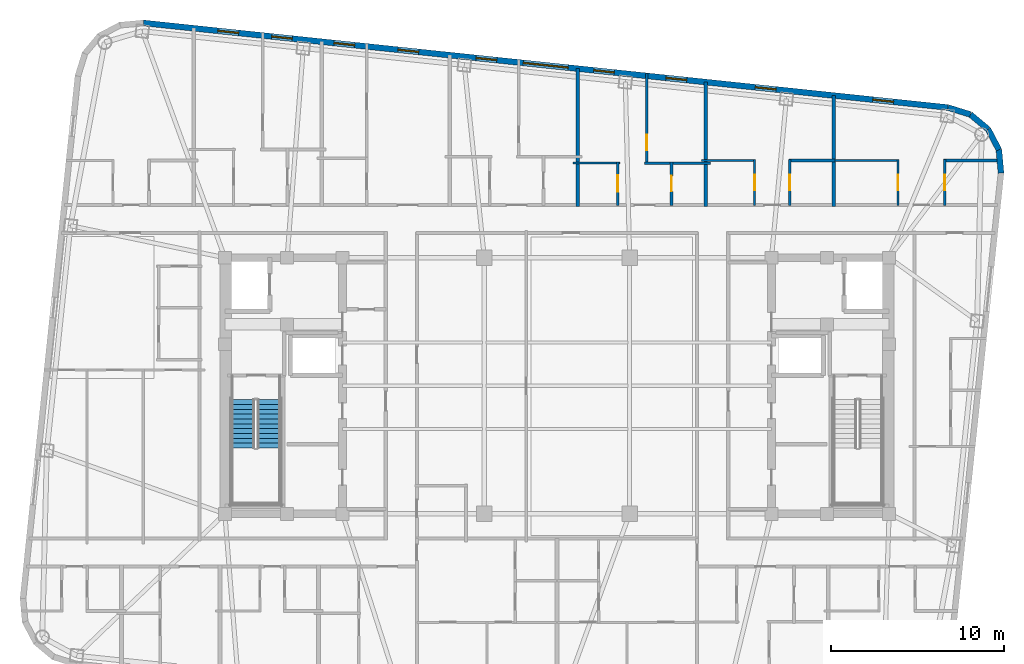
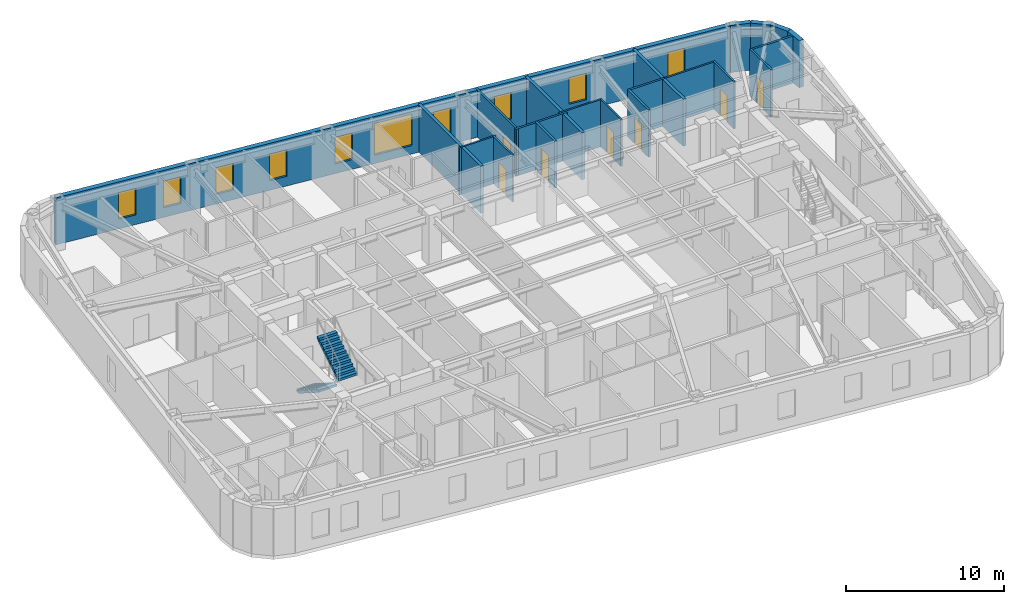
# One storey, part 8 of 11: 21 walls, 10 windows, 7 doors, 2 stair flights, 17 openings, 1 element without a shape of its own.
"""IFC4 building model written with IfcOpenShell, lengths in metres."""

from ifc_helpers import new_model, si_unit, direction, frame, frame_2d, origin, place, context, subcontext, project, spatial, polyline, rectangle, outline, extrude, material, layer, layer_set, type_object, element, fill, aggregate, save


model = new_model("IFC4")

# Units and contexts
model_context = context("Model", 3, precision=1e-05, world=origin(), true_north=direction((0.0, 1.0)))
body_context = subcontext(model_context, "Body", "Model", "MODEL_VIEW")
ifc_project = project(units=[si_unit("LENGTHUNIT", "METRE"), si_unit("AREAUNIT", "SQUARE_METRE"), si_unit("VOLUMEUNIT", "CUBIC_METRE"), si_unit("PLANEANGLEUNIT", "RADIAN"), si_unit("MASSUNIT", "GRAM", prefix="KILO")], contexts=[model_context])

# Site, building, storey
site_placement = place(None, origin())
site = spatial("IfcSite", under=ifc_project, at=site_placement, CompositionType="ELEMENT")
building_placement = place(site_placement, origin())
building = spatial("IfcBuilding", under=site, at=building_placement, Name="Voryun Gate Residences", CompositionType="ELEMENT")
storey_placement = place(building_placement, frame((0.0, 0.0, 302.89990234375)))
storey = spatial("IfcBuildingStorey", under=building, at=storey_placement, Name="L75", CompositionType="ELEMENT", Elevation=302.89990234375)

# Wall, openings, windows
ifc_material_1 = material(Name="Charcoal terracotta masonry", Category="masonry")
ifc_layer_1 = layer(ifc_material_1, 0.340087890625, Name="W_EXT_TERRACOTTA_340")
ifc_layer_set_1 = layer_set([ifc_layer_1], Name="Charcoal terracotta masonry")
wall_type_1 = type_object("IfcWallType", Name="W_EXT_TERRACOTTA_340", PredefinedType="ELEMENTEDWALL", material=ifc_layer_set_1)
wall_1_placement = place(storey_placement, frame((-23.90771484375, 20.97216796875, 0.0), z_axis=(0.0, 0.0, 1.0), x_axis=(0.994521888554, -0.104528528102, 0.0)))
wall_1 = element("IfcWall", 1, at=wall_1_placement, inside=storey, type_object=wall_type_1, Name="Exterior wall WEXT-L75-11", PredefinedType="ELEMENTEDWALL", context=body_context, shape_type="SweptSolid", body=[
    extrude(rectangle(XDim=46.766357421875, YDim=0.340087890625, at=frame_2d((23.38330078125, 0.0))), origin(), (0.0, 0.0, 1.0), 3.635009765625),
])
opening_1_placement = place(wall_1_placement, frame((22.083251953125, 0.0, 0.64990234375)))
opening_1 = element("IfcOpeningElement", 2, at=opening_1_placement, cuts=wall_1, Name="Opening WN4", PredefinedType="OPENING", context=body_context, shape_type="SweptSolid", body=[
    extrude(rectangle(XDim=2.60009765625, YDim=2.449951171875, at=frame_2d((1.300048828125, 1.22509765625))), frame((0.0, 0.179931640625, 0.0), z_axis=(0.0, -1.0, 0.0), x_axis=(1.0, 0.0, 0.0)), (0.0, 0.0, 1.0), 0.360107421875),
])
opening_2_placement = place(wall_1_placement, frame((4.33203125, 0.0, 0.75)))
opening_2 = element("IfcOpeningElement", 3, at=opening_2_placement, cuts=wall_1, Name="Opening WN6", PredefinedType="OPENING", context=body_context, shape_type="SweptSolid", body=[
    extrude(rectangle(XDim=1.199951171875, YDim=2.050048828125, at=frame_2d((0.60009765625, 1.02490234375))), frame((0.0, 0.179931640625, 0.0), z_axis=(0.0, -1.0, 0.0), x_axis=(1.0, 0.0, 0.0)), (0.0, 0.0, 1.0), 0.360107421875),
])
opening_3_placement = place(wall_1_placement, frame((7.452392578125, 0.0, 0.75)))
opening_3 = element("IfcOpeningElement", 4, at=opening_3_placement, cuts=wall_1, Name="Opening WN6", PredefinedType="OPENING", context=body_context, shape_type="SweptSolid", body=[
    extrude(rectangle(XDim=1.199951171875, YDim=2.050048828125, at=frame_2d((0.60009765625, 1.02490234375))), frame((0.0, 0.179931640625, 0.0), z_axis=(0.0, -1.0, 0.0), x_axis=(1.0, 0.0, 0.0)), (0.0, 0.0, 1.0), 0.360107421875),
])
opening_4_placement = place(wall_1_placement, frame((14.79931640625, 0.0, 0.75)))
opening_4 = element("IfcOpeningElement", 5, at=opening_4_placement, cuts=wall_1, Name="Opening WN6", PredefinedType="OPENING", context=body_context, shape_type="SweptSolid", body=[
    extrude(rectangle(XDim=1.199951171875, YDim=2.050048828125, at=frame_2d((0.60009765625, 1.02490234375))), frame((0.0, 0.179931640625, 0.0), z_axis=(0.0, -1.0, 0.0), x_axis=(1.0, 0.0, 0.0)), (0.0, 0.0, 1.0), 0.360107421875),
])
opening_5_placement = place(wall_1_placement, frame((11.0791015625, 0.0, 0.75)))
opening_5 = element("IfcOpeningElement", 6, at=opening_5_placement, cuts=wall_1, Name="Opening WN6", PredefinedType="OPENING", context=body_context, shape_type="SweptSolid", body=[
    extrude(rectangle(XDim=1.199951171875, YDim=2.050048828125, at=frame_2d((0.60009765625, 1.02490234375))), frame((0.0, 0.179931640625, 0.0), z_axis=(0.0, -1.0, 0.0), x_axis=(1.0, 0.0, 0.0)), (0.0, 0.0, 1.0), 0.360107421875),
])
opening_6_placement = place(wall_1_placement, frame((19.33349609375, 0.0, 0.75)))
opening_6 = element("IfcOpeningElement", 7, at=opening_6_placement, cuts=wall_1, Name="Opening WN6", PredefinedType="OPENING", context=body_context, shape_type="SweptSolid", body=[
    extrude(rectangle(XDim=1.199951171875, YDim=2.050048828125, at=frame_2d((0.60009765625, 1.02490234375))), frame((0.0, 0.179931640625, 0.0), z_axis=(0.0, -1.0, 0.0), x_axis=(1.0, 0.0, 0.0)), (0.0, 0.0, 1.0), 0.360107421875),
])
opening_7_placement = place(wall_1_placement, frame((26.17431640625, 0.0, 0.75)))
opening_7 = element("IfcOpeningElement", 8, at=opening_7_placement, cuts=wall_1, Name="Opening WN6", PredefinedType="OPENING", context=body_context, shape_type="SweptSolid", body=[
    extrude(rectangle(XDim=1.199951171875, YDim=2.050048828125, at=frame_2d((0.60009765625, 1.02490234375))), frame((0.0, 0.179931640625, 0.0), z_axis=(0.0, -1.0, 0.0), x_axis=(1.0, 0.0, 0.0)), (0.0, 0.0, 1.0), 0.360107421875),
])
opening_8_placement = place(wall_1_placement, frame((30.374755859375, 0.0, 0.75)))
opening_8 = element("IfcOpeningElement", 9, at=opening_8_placement, cuts=wall_1, Name="Opening WN6", PredefinedType="OPENING", context=body_context, shape_type="SweptSolid", body=[
    extrude(rectangle(XDim=1.199951171875, YDim=2.050048828125, at=frame_2d((0.60009765625, 1.02490234375))), frame((0.0, 0.179931640625, 0.0), z_axis=(0.0, -1.0, 0.0), x_axis=(1.0, 0.0, 0.0)), (0.0, 0.0, 1.0), 0.360107421875),
])
opening_9_placement = place(wall_1_placement, frame((35.569580078125, 0.0, 0.75)))
opening_9 = element("IfcOpeningElement", 10, at=opening_9_placement, cuts=wall_1, Name="Opening WN6", PredefinedType="OPENING", context=body_context, shape_type="SweptSolid", body=[
    extrude(rectangle(XDim=1.199951171875, YDim=2.050048828125, at=frame_2d((0.60009765625, 1.02490234375))), frame((0.0, 0.179931640625, 0.0), z_axis=(0.0, -1.0, 0.0), x_axis=(1.0, 0.0, 0.0)), (0.0, 0.0, 1.0), 0.360107421875),
])
opening_10_placement = place(wall_1_placement, frame((42.40185546875, 0.0, 0.75)))
opening_10 = element("IfcOpeningElement", 11, at=opening_10_placement, cuts=wall_1, Name="Opening WN6", PredefinedType="OPENING", context=body_context, shape_type="SweptSolid", body=[
    extrude(rectangle(XDim=1.199951171875, YDim=2.050048828125, at=frame_2d((0.60009765625, 1.02490234375))), frame((0.0, 0.179931640625, 0.0), z_axis=(0.0, -1.0, 0.0), x_axis=(1.0, 0.0, 0.0)), (0.0, 0.0, 1.0), 0.360107421875),
])
ifc_material_2 = material(Name="Laminated low-E glass", Category="glass")
window_type_1 = type_object("IfcWindowType", Name="WN_PENT_TALL_2600", PartitioningType="SINGLE_PANEL", PredefinedType="WINDOW", material=ifc_material_2)
window_1_placement = place(opening_1_placement, origin())
window_1 = element("IfcWindow", 12, at=window_1_placement, inside=storey, type_object=window_type_1, Name="Window WN-WEXT-L75-11-02", OverallHeight=2.449951171875, OverallWidth=2.60009765625, PartitioningType="SINGLE_PANEL", PredefinedType="WINDOW", context=body_context, shape_type="SweptSolid", body=[
    extrude(rectangle(XDim=2.60009765625, YDim=2.449951171875, at=frame_2d((1.300048828125, 1.22509765625))), frame((0.0, 0.030029296875, 0.0), z_axis=(0.0, -1.0, 0.0), x_axis=(1.0, 0.0, 0.0)), (0.0, 0.0, 1.0), 0.06005859375),
])
fill(opening_1, window_1)
ifc_material_3 = material(Name="Laminated low-E glass", Category="glass")
window_type_2 = type_object("IfcWindowType", Name="WN_POD_SLOT_1200", PartitioningType="SINGLE_PANEL", PredefinedType="WINDOW", material=ifc_material_3)
window_2_placement = place(opening_2_placement, origin())
window_2 = element("IfcWindow", 13, at=window_2_placement, inside=storey, type_object=window_type_2, Name="Window WN-L75-DWFIX-02", OverallHeight=2.050048828125, OverallWidth=1.199951171875, PartitioningType="SINGLE_PANEL", PredefinedType="WINDOW", context=body_context, shape_type="SweptSolid", body=[
    extrude(rectangle(XDim=1.199951171875, YDim=2.050048828125, at=frame_2d((0.60009765625, 1.02490234375))), frame((0.0, 0.030029296875, 0.0), z_axis=(0.0, -1.0, 0.0), x_axis=(1.0, 0.0, 0.0)), (0.0, 0.0, 1.0), 0.06005859375),
])
fill(opening_2, window_2)
window_3_placement = place(opening_3_placement, origin())
window_3 = element("IfcWindow", 14, at=window_3_placement, inside=storey, type_object=window_type_2, Name="Window WN-L75-DWFIX-03", OverallHeight=2.050048828125, OverallWidth=1.199951171875, PartitioningType="SINGLE_PANEL", PredefinedType="WINDOW", context=body_context, shape_type="SweptSolid", body=[
    extrude(rectangle(XDim=1.199951171875, YDim=2.050048828125, at=frame_2d((0.60009765625, 1.02490234375))), frame((0.0, 0.030029296875, 0.0), z_axis=(0.0, -1.0, 0.0), x_axis=(1.0, 0.0, 0.0)), (0.0, 0.0, 1.0), 0.06005859375),
])
fill(opening_3, window_3)
window_4_placement = place(opening_4_placement, origin())
window_4 = element("IfcWindow", 15, at=window_4_placement, inside=storey, type_object=window_type_2, Name="Window WN-L75-DWFIX-04", OverallHeight=2.050048828125, OverallWidth=1.199951171875, PartitioningType="SINGLE_PANEL", PredefinedType="WINDOW", context=body_context, shape_type="SweptSolid", body=[
    extrude(rectangle(XDim=1.199951171875, YDim=2.050048828125, at=frame_2d((0.60009765625, 1.02490234375))), frame((0.0, 0.030029296875, 0.0), z_axis=(0.0, -1.0, 0.0), x_axis=(1.0, 0.0, 0.0)), (0.0, 0.0, 1.0), 0.06005859375),
])
fill(opening_4, window_4)
window_5_placement = place(opening_5_placement, origin())
window_5 = element("IfcWindow", 16, at=window_5_placement, inside=storey, type_object=window_type_2, Name="Window WN-L75-DWFIX-05", OverallHeight=2.050048828125, OverallWidth=1.199951171875, PartitioningType="SINGLE_PANEL", PredefinedType="WINDOW", context=body_context, shape_type="SweptSolid", body=[
    extrude(rectangle(XDim=1.199951171875, YDim=2.050048828125, at=frame_2d((0.60009765625, 1.02490234375))), frame((0.0, 0.030029296875, 0.0), z_axis=(0.0, -1.0, 0.0), x_axis=(1.0, 0.0, 0.0)), (0.0, 0.0, 1.0), 0.06005859375),
])
fill(opening_5, window_5)
window_6_placement = place(opening_6_placement, origin())
window_6 = element("IfcWindow", 17, at=window_6_placement, inside=storey, type_object=window_type_2, Name="Window WN-L75-DWFIX-06", OverallHeight=2.050048828125, OverallWidth=1.199951171875, PartitioningType="SINGLE_PANEL", PredefinedType="WINDOW", context=body_context, shape_type="SweptSolid", body=[
    extrude(rectangle(XDim=1.199951171875, YDim=2.050048828125, at=frame_2d((0.60009765625, 1.02490234375))), frame((0.0, 0.030029296875, 0.0), z_axis=(0.0, -1.0, 0.0), x_axis=(1.0, 0.0, 0.0)), (0.0, 0.0, 1.0), 0.06005859375),
])
fill(opening_6, window_6)
window_7_placement = place(opening_7_placement, origin())
window_7 = element("IfcWindow", 18, at=window_7_placement, inside=storey, type_object=window_type_2, Name="Window WN-L75-DWFIX-07", OverallHeight=2.050048828125, OverallWidth=1.199951171875, PartitioningType="SINGLE_PANEL", PredefinedType="WINDOW", context=body_context, shape_type="SweptSolid", body=[
    extrude(rectangle(XDim=1.199951171875, YDim=2.050048828125, at=frame_2d((0.60009765625, 1.02490234375))), frame((0.0, 0.030029296875, 0.0), z_axis=(0.0, -1.0, 0.0), x_axis=(1.0, 0.0, 0.0)), (0.0, 0.0, 1.0), 0.06005859375),
])
fill(opening_7, window_7)
window_8_placement = place(opening_8_placement, origin())
window_8 = element("IfcWindow", 19, at=window_8_placement, inside=storey, type_object=window_type_2, Name="Window WN-L75-DWFIX-08", OverallHeight=2.050048828125, OverallWidth=1.199951171875, PartitioningType="SINGLE_PANEL", PredefinedType="WINDOW", context=body_context, shape_type="SweptSolid", body=[
    extrude(rectangle(XDim=1.199951171875, YDim=2.050048828125, at=frame_2d((0.60009765625, 1.02490234375))), frame((0.0, 0.030029296875, 0.0), z_axis=(0.0, -1.0, 0.0), x_axis=(1.0, 0.0, 0.0)), (0.0, 0.0, 1.0), 0.06005859375),
])
fill(opening_8, window_8)
window_9_placement = place(opening_9_placement, origin())
window_9 = element("IfcWindow", 20, at=window_9_placement, inside=storey, type_object=window_type_2, Name="Window WN-L75-DWFIX-09", OverallHeight=2.050048828125, OverallWidth=1.199951171875, PartitioningType="SINGLE_PANEL", PredefinedType="WINDOW", context=body_context, shape_type="SweptSolid", body=[
    extrude(rectangle(XDim=1.199951171875, YDim=2.050048828125, at=frame_2d((0.60009765625, 1.02490234375))), frame((0.0, 0.030029296875, 0.0), z_axis=(0.0, -1.0, 0.0), x_axis=(1.0, 0.0, 0.0)), (0.0, 0.0, 1.0), 0.06005859375),
])
fill(opening_9, window_9)
window_10_placement = place(opening_10_placement, origin())
window_10 = element("IfcWindow", 21, at=window_10_placement, inside=storey, type_object=window_type_2, Name="Window WN-L75-DWFIX-10", OverallHeight=2.050048828125, OverallWidth=1.199951171875, PartitioningType="SINGLE_PANEL", PredefinedType="WINDOW", context=body_context, shape_type="SweptSolid", body=[
    extrude(rectangle(XDim=1.199951171875, YDim=2.050048828125, at=frame_2d((0.60009765625, 1.02490234375))), frame((0.0, 0.030029296875, 0.0), z_axis=(0.0, -1.0, 0.0), x_axis=(1.0, 0.0, 0.0)), (0.0, 0.0, 1.0), 0.06005859375),
])
fill(opening_10, window_10)

# Walls
wall_2_placement = place(storey_placement, frame((22.6025390625, 16.083740234375, 0.0), z_axis=(0.0, 0.0, 1.0), x_axis=(0.955007802701, -0.296580674994, 0.0)))
element("IfcWall", 22, at=wall_2_placement, inside=storey, type_object=wall_type_1, Name="Exterior wall WEXT-L75-12", PredefinedType="ELEMENTEDWALL", context=body_context, shape_type="SweptSolid", body=[
    extrude(rectangle(XDim=1.354248046875, YDim=0.340087890625, at=frame_2d((0.67724609375, 0.0))), origin(), (0.0, 0.0, 1.0), 3.635009765625),
])
for number, where, z_axis, x_axis, name in (
    (23, (23.895751953125, 15.68212890625, 0.0), (0.0, 0.0, 1.0), (0.768789762863, -0.639501603217, 0.0), "Exterior wall WEXT-L75-13"),
    (24, (24.923583984375, 14.8271484375, 0.0), (0.0, 0.0, 1.0), (0.46567116636, -0.884957832228, 0.0), "Exterior wall WEXT-L75-14"),
):
    element("IfcWall", number, at=place(storey_placement, frame(where, z_axis=z_axis, x_axis=x_axis)), inside=storey, type_object=wall_type_1, Name=name, PredefinedType="ELEMENTEDWALL", context=body_context, shape_type="SweptSolid", body=[
        extrude(rectangle(XDim=1.3369140625, YDim=0.340087890625, at=frame_2d((0.66845703125, 0.0))), origin(), (0.0, 0.0, 1.0), 3.635009765625),
    ])
wall_3_placement = place(storey_placement, frame((25.546142578125, 13.64404296875, 0.0), z_axis=(0.0, 0.0, 1.0), x_axis=(0.091592370975, -0.995796584438, 0.0)))
element("IfcWall", 25, at=wall_3_placement, inside=storey, type_object=wall_type_1, Name="Exterior wall WEXT-L75-15", PredefinedType="ELEMENTEDWALL", context=body_context, shape_type="SweptSolid", body=[
    extrude(rectangle(XDim=1.35400390625, YDim=0.340087890625, at=frame_2d((0.677001953125, 0.0))), origin(), (0.0, 0.0, 1.0), 3.635009765625),
])
ifc_material_4 = material(Name="Concrete C40/50", Category="concrete")
ifc_layer_2 = layer(ifc_material_4, 0.219970703125, Name="W_PARTY_ACOUSTIC_220")
ifc_layer_set_2 = layer_set([ifc_layer_2], Name="Concrete C40/50")
wall_type_2 = type_object("IfcWallType", Name="W_PARTY_ACOUSTIC_220", PredefinedType="PARTITIONING", material=ifc_layer_set_2)
wall_4_placement = place(storey_placement, frame((1.199951171875, 10.3701171875, 0.0), z_axis=(0.0, 0.0, 1.0), x_axis=(0.0, 1.0, 0.0)))
element("IfcWall", 26, at=wall_4_placement, inside=storey, type_object=wall_type_2, Name="Partition wall WP-L75-NPTY-4", PredefinedType="PARTITIONING", context=body_context, shape_type="SweptSolid", body=[
    extrude(rectangle(XDim=7.963134765625, YDim=0.219970703125, at=frame_2d((3.9814453125, 0.0))), origin(), (0.0, 0.0, 1.0), 3.635009765625),
])
wall_5_placement = place(storey_placement, frame((8.60009765625, 10.3701171875, 0.0), z_axis=(0.0, 0.0, 1.0), x_axis=(0.0, 1.0, 0.0)))
element("IfcWall", 27, at=wall_5_placement, inside=storey, type_object=wall_type_2, Name="Partition wall WP-L75-NPTY-5", PredefinedType="PARTITIONING", context=body_context, shape_type="SweptSolid", body=[
    extrude(rectangle(XDim=7.185302734375, YDim=0.219970703125, at=frame_2d((3.5927734375, 0.0))), origin(), (0.0, 0.0, 1.0), 3.635009765625),
])
wall_6_placement = place(storey_placement, frame((16.0, 10.3701171875, 0.0), z_axis=(0.0, 0.0, 1.0), x_axis=(0.0, 1.0, 0.0)))
element("IfcWall", 28, at=wall_6_placement, inside=storey, type_object=wall_type_2, Name="Partition wall WP-L75-NPTY-6", PredefinedType="PARTITIONING", context=body_context, shape_type="SweptSolid", body=[
    extrude(rectangle(XDim=6.407470703125, YDim=0.219970703125, at=frame_2d((3.20361328125, 0.0))), origin(), (0.0, 0.0, 1.0), 3.635009765625),
])

# Wall, opening, door
ifc_material_5 = material(Name="Gypsum acoustic partition")
ifc_layer_3 = layer(ifc_material_5, 0.125, Name="W_UNIT_PART_125")
ifc_layer_set_3 = layer_set([ifc_layer_3], Name="Gypsum acoustic partition")
wall_type_3 = type_object("IfcWallType", Name="W_UNIT_PART_125", PredefinedType="PARTITIONING", material=ifc_layer_set_3)
wall_7_placement = place(storey_placement, frame((5.18994140625, 12.7880859375, 0.0), z_axis=(0.0, 0.0, 1.0), x_axis=(0.0, 1.0, 0.0)))
wall_7 = element("IfcWall", 29, at=wall_7_placement, inside=storey, type_object=wall_type_3, Name="Partition wall WP-L75-N5-OVR", PredefinedType="PARTITIONING", context=body_context, shape_type="SweptSolid", body=[
    extrude(rectangle(XDim=5.276611328125, YDim=0.125, at=frame_2d((2.63818359375, 0.0))), origin(), (0.0, 0.0, 1.0), 3.635009765625),
])
opening_11_placement = place(wall_7_placement, frame((0.81640625, 0.0, 0.0)))
opening_11 = element("IfcOpeningElement", 30, at=opening_11_placement, cuts=wall_7, Name="Opening D-INT-2", PredefinedType="OPENING", context=body_context, shape_type="SweptSolid", body=[
    extrude(rectangle(XDim=0.89990234375, YDim=2.050048828125, at=frame_2d((0.449951171875, 1.02490234375))), frame((0.0, 0.072509765625, 0.0), z_axis=(0.0, -1.0, 0.0), x_axis=(1.0, 0.0, 0.0)), (0.0, 0.0, 1.0), 0.14501953125),
])
ifc_material_6 = material(Name="Architectural oak veneer")
door_type_1 = type_object("IfcDoorType", Name="DR_INT_BATH_900", OperationType="NOTDEFINED", PredefinedType="DOOR", material=ifc_material_6)
door_1_placement = place(opening_11_placement, origin())
door_1 = element("IfcDoor", 31, at=door_1_placement, inside=storey, type_object=door_type_1, Name="Door DR-L75-N5-DMB", OperationType="SINGLE_SWING_RIGHT", OverallHeight=2.050048828125, OverallWidth=0.89990234375, PredefinedType="DOOR", context=body_context, shape_type="SweptSolid", body=[
    extrude(rectangle(XDim=0.89990234375, YDim=2.050048828125, at=frame_2d((0.449951171875, 1.02490234375))), frame((0.0, 0.02490234375, 0.0), z_axis=(0.0, -1.0, 0.0), x_axis=(1.0, 0.0, 0.0)), (0.0, 0.0, 1.0), 0.050048828125),
])
fill(opening_11, door_1)

wall_8_placement = place(storey_placement, frame((3.510009765625, 10.429931640625, 0.0), z_axis=(0.0, 0.0, 1.0), x_axis=(0.0, 1.0, 0.0)))
wall_8 = element("IfcWall", 32, at=wall_8_placement, inside=storey, type_object=wall_type_3, Name="Partition wall WP-L75-N5-IVK", PredefinedType="PARTITIONING", context=body_context, shape_type="SweptSolid", body=[
    extrude(rectangle(XDim=2.51806640625, YDim=0.125, at=frame_2d((1.259033203125, 0.0))), origin(), (0.0, 0.0, 1.0), 3.635009765625),
])
opening_12_placement = place(wall_8_placement, frame((0.783935546875, 0.0, 0.0)))
opening_12 = element("IfcOpeningElement", 33, at=opening_12_placement, cuts=wall_8, Name="Opening D-INT-1", PredefinedType="OPENING", context=body_context, shape_type="SweptSolid", body=[
    extrude(rectangle(XDim=0.949951171875, YDim=2.050048828125, at=frame_2d((0.47509765625, 1.02490234375))), frame((0.0, 0.072509765625, 0.0), z_axis=(0.0, -1.0, 0.0), x_axis=(1.0, 0.0, 0.0)), (0.0, 0.0, 1.0), 0.14501953125),
])
ifc_material_7 = material(Name="Architectural oak veneer")
door_type_2 = type_object("IfcDoorType", Name="DR_INT_ROOM_950", OperationType="NOTDEFINED", PredefinedType="DOOR", material=ifc_material_7)
door_2_placement = place(opening_12_placement, origin())
door_2 = element("IfcDoor", 34, at=door_2_placement, inside=storey, type_object=door_type_2, Name="Door DR-L75-N5-DK", OperationType="SINGLE_SWING_LEFT", OverallHeight=2.050048828125, OverallWidth=0.949951171875, PredefinedType="DOOR", context=body_context, shape_type="SweptSolid", body=[
    extrude(rectangle(XDim=0.949951171875, YDim=2.050048828125, at=frame_2d((0.47509765625, 1.02490234375))), frame((0.0, 0.02490234375, 0.0), z_axis=(0.0, -1.0, 0.0), x_axis=(1.0, 0.0, 0.0)), (0.0, 0.0, 1.0), 0.050048828125),
])
fill(opening_12, door_2)

# Wall
wall_9_placement = place(storey_placement, frame((0.93994140625, 12.867919921875, 0.0), z_axis=(0.0, 0.0, 1.0), x_axis=(1.0, 0.0, 0.0)))
element("IfcWall", 35, at=wall_9_placement, inside=storey, type_object=wall_type_3, Name="Partition wall WP-L75-N5-HZK", PredefinedType="PARTITIONING", context=body_context, shape_type="SweptSolid", body=[
    extrude(rectangle(XDim=2.68994140625, YDim=0.125, at=frame_2d((1.344970703125, 0.0))), origin(), (0.0, 0.0, 1.0), 3.635009765625),
])

# Wall, opening, door
wall_10_placement = place(storey_placement, frame((11.426025390625, 10.429931640625, 0.0), z_axis=(0.0, 0.0, 1.0), x_axis=(0.0, 1.0, 0.0)))
wall_10 = element("IfcWall", 36, at=wall_10_placement, inside=storey, type_object=wall_type_3, Name="Partition wall WP-L75-N6-CVK", PredefinedType="PARTITIONING", context=body_context, shape_type="SweptSolid", body=[
    extrude(rectangle(XDim=2.650146484375, YDim=0.125, at=frame_2d((1.3251953125, 0.0))), origin(), (0.0, 0.0, 1.0), 3.635009765625),
])
opening_13_placement = place(wall_10_placement, frame((0.875, 0.0, 0.0)))
opening_13 = element("IfcOpeningElement", 37, at=opening_13_placement, cuts=wall_10, Name="Opening D-INT-2", PredefinedType="OPENING", context=body_context, shape_type="SweptSolid", body=[
    extrude(rectangle(XDim=0.89990234375, YDim=2.050048828125, at=frame_2d((0.449951171875, 1.02490234375))), frame((0.0, 0.072509765625, 0.0), z_axis=(0.0, -1.0, 0.0), x_axis=(1.0, 0.0, 0.0)), (0.0, 0.0, 1.0), 0.14501953125),
])
door_3_placement = place(opening_13_placement, origin())
door_3 = element("IfcDoor", 38, at=door_3_placement, inside=storey, type_object=door_type_1, Name="Door DR-L75-N6-DK", OperationType="SINGLE_SWING_LEFT", OverallHeight=2.050048828125, OverallWidth=0.89990234375, PredefinedType="DOOR", context=body_context, shape_type="SweptSolid", body=[
    extrude(rectangle(XDim=0.89990234375, YDim=2.050048828125, at=frame_2d((0.449951171875, 1.02490234375))), frame((0.0, 0.02490234375, 0.0), z_axis=(0.0, -1.0, 0.0), x_axis=(1.0, 0.0, 0.0)), (0.0, 0.0, 1.0), 0.050048828125),
])
fill(opening_13, door_3)

# Wall
wall_11_placement = place(storey_placement, frame((8.340087890625, 13.02001953125, 0.0), z_axis=(0.0, 0.0, 1.0), x_axis=(1.0, 0.0, 0.0)))
element("IfcWall", 39, at=wall_11_placement, inside=storey, type_object=wall_type_3, Name="Partition wall WP-L75-N6-CHK", PredefinedType="PARTITIONING", context=body_context, shape_type="SweptSolid", body=[
    extrude(rectangle(XDim=3.14599609375, YDim=0.125, at=frame_2d((1.572998046875, 0.0))), origin(), (0.0, 0.0, 1.0), 3.635009765625),
])

# Wall, opening, door
wall_12_placement = place(storey_placement, frame((19.714111328125, 10.429931640625, 0.0), z_axis=(0.0, 0.0, 1.0), x_axis=(0.0, 1.0, 0.0)))
wall_12 = element("IfcWall", 40, at=wall_12_placement, inside=storey, type_object=wall_type_3, Name="Partition wall WP-L75-N7-CVK", PredefinedType="PARTITIONING", context=body_context, shape_type="SweptSolid", body=[
    extrude(rectangle(XDim=2.650146484375, YDim=0.125, at=frame_2d((1.3251953125, 0.0))), origin(), (0.0, 0.0, 1.0), 3.635009765625),
])
opening_14_placement = place(wall_12_placement, frame((0.875, 0.0, 0.0)))
opening_14 = element("IfcOpeningElement", 41, at=opening_14_placement, cuts=wall_12, Name="Opening D-INT-2", PredefinedType="OPENING", context=body_context, shape_type="SweptSolid", body=[
    extrude(rectangle(XDim=0.89990234375, YDim=2.050048828125, at=frame_2d((0.449951171875, 1.02490234375))), frame((0.0, 0.072509765625, 0.0), z_axis=(0.0, -1.0, 0.0), x_axis=(1.0, 0.0, 0.0)), (0.0, 0.0, 1.0), 0.14501953125),
])
door_4_placement = place(opening_14_placement, origin())
door_4 = element("IfcDoor", 42, at=door_4_placement, inside=storey, type_object=door_type_1, Name="Door DR-L75-N7-DK", OperationType="SINGLE_SWING_LEFT", OverallHeight=2.050048828125, OverallWidth=0.89990234375, PredefinedType="DOOR", context=body_context, shape_type="SweptSolid", body=[
    extrude(rectangle(XDim=0.89990234375, YDim=2.050048828125, at=frame_2d((0.449951171875, 1.02490234375))), frame((0.0, 0.02490234375, 0.0), z_axis=(0.0, -1.0, 0.0), x_axis=(1.0, 0.0, 0.0)), (0.0, 0.0, 1.0), 0.050048828125),
])
fill(opening_14, door_4)

# Walls
wall_13_placement = place(storey_placement, frame((15.925048828125, 13.02001953125, 0.0), z_axis=(0.0, 0.0, 1.0), x_axis=(1.0, 0.0, 0.0)))
element("IfcWall", 43, at=wall_13_placement, inside=storey, type_object=wall_type_3, Name="Partition wall WP-L75-N7-CHK", PredefinedType="PARTITIONING", context=body_context, shape_type="SweptSolid", body=[
    extrude(rectangle(XDim=3.848876953125, YDim=0.125, at=frame_2d((1.92431640625, 0.0))), origin(), (0.0, 0.0, 1.0), 3.635009765625),
])
ifc_material_8 = material(Name="Gypsum moisture-resistant partition")
ifc_layer_4 = layer(ifc_material_8, 0.14990234375, Name="W_WET_PLUMB_150")
ifc_layer_set_4 = layer_set([ifc_layer_4], Name="Gypsum moisture-resistant partition")
wall_type_4 = type_object("IfcWallType", Name="W_WET_PLUMB_150", PredefinedType="PLUMBINGWALL", material=ifc_layer_set_4)
wall_14_placement = place(storey_placement, frame((5.070068359375, 12.867919921875, 0.0), z_axis=(0.0, 0.0, 1.0), x_axis=(1.0, 0.0, 0.0)))
element("IfcWall", 44, at=wall_14_placement, inside=storey, type_object=wall_type_4, Name="Partition wall WP-L75-N5-HZB", PredefinedType="PLUMBINGWALL", context=body_context, shape_type="SweptSolid", body=[
    extrude(rectangle(XDim=3.7900390625, YDim=0.14990234375, at=frame_2d((1.89501953125, 0.0))), origin(), (0.0, 0.0, 1.0), 3.635009765625),
])

# Wall, opening, door
wall_15_placement = place(storey_placement, frame((6.6201171875, 10.429931640625, 0.0), z_axis=(0.0, 0.0, 1.0), x_axis=(0.0, 1.0, 0.0)))
wall_15 = element("IfcWall", 45, at=wall_15_placement, inside=storey, type_object=wall_type_4, Name="Partition wall WP-L75-N5-IVB", PredefinedType="PLUMBINGWALL", context=body_context, shape_type="SweptSolid", body=[
    extrude(rectangle(XDim=2.51806640625, YDim=0.14990234375, at=frame_2d((1.259033203125, 0.0))), origin(), (0.0, 0.0, 1.0), 3.635009765625),
])
opening_15_placement = place(wall_15_placement, frame((0.80908203125, 0.0, 0.0)))
opening_15 = element("IfcOpeningElement", 46, at=opening_15_placement, cuts=wall_15, Name="Opening D-INT-2", PredefinedType="OPENING", context=body_context, shape_type="SweptSolid", body=[
    extrude(rectangle(XDim=0.89990234375, YDim=2.050048828125, at=frame_2d((0.449951171875, 1.02490234375))), frame((0.0, 0.0849609375, 0.0), z_axis=(0.0, -1.0, 0.0), x_axis=(1.0, 0.0, 0.0)), (0.0, 0.0, 1.0), 0.169921875),
])
door_5_placement = place(opening_15_placement, origin())
door_5 = element("IfcDoor", 47, at=door_5_placement, inside=storey, type_object=door_type_1, Name="Door DR-L75-N5-DB", OperationType="SINGLE_SWING_RIGHT", OverallHeight=2.050048828125, OverallWidth=0.89990234375, PredefinedType="DOOR", context=body_context, shape_type="SweptSolid", body=[
    extrude(rectangle(XDim=0.89990234375, YDim=2.050048828125, at=frame_2d((0.449951171875, 1.02490234375))), frame((0.0, 0.02490234375, 0.0), z_axis=(0.0, -1.0, 0.0), x_axis=(1.0, 0.0, 0.0)), (0.0, 0.0, 1.0), 0.050048828125),
])
fill(opening_15, door_5)

wall_16_placement = place(storey_placement, frame((13.465087890625, 10.429931640625, 0.0), z_axis=(0.0, 0.0, 1.0), x_axis=(0.0, 1.0, 0.0)))
wall_16 = element("IfcWall", 48, at=wall_16_placement, inside=storey, type_object=wall_type_4, Name="Partition wall WP-L75-N6-CVB", PredefinedType="PLUMBINGWALL", context=body_context, shape_type="SweptSolid", body=[
    extrude(rectangle(XDim=2.650146484375, YDim=0.14990234375, at=frame_2d((1.3251953125, 0.0))), origin(), (0.0, 0.0, 1.0), 3.635009765625),
])
opening_16_placement = place(wall_16_placement, frame((0.875, 0.0, 0.0)))
opening_16 = element("IfcOpeningElement", 49, at=opening_16_placement, cuts=wall_16, Name="Opening D-INT-2", PredefinedType="OPENING", context=body_context, shape_type="SweptSolid", body=[
    extrude(rectangle(XDim=0.89990234375, YDim=2.050048828125, at=frame_2d((0.449951171875, 1.02490234375))), frame((0.0, 0.0849609375, 0.0), z_axis=(0.0, -1.0, 0.0), x_axis=(1.0, 0.0, 0.0)), (0.0, 0.0, 1.0), 0.169921875),
])
door_6_placement = place(opening_16_placement, origin())
door_6 = element("IfcDoor", 50, at=door_6_placement, inside=storey, type_object=door_type_1, Name="Door DR-L75-N6-DB", OperationType="SINGLE_SWING_RIGHT", OverallHeight=2.050048828125, OverallWidth=0.89990234375, PredefinedType="DOOR", context=body_context, shape_type="SweptSolid", body=[
    extrude(rectangle(XDim=0.89990234375, YDim=2.050048828125, at=frame_2d((0.449951171875, 1.02490234375))), frame((0.0, 0.02490234375, 0.0), z_axis=(0.0, -1.0, 0.0), x_axis=(1.0, 0.0, 0.0)), (0.0, 0.0, 1.0), 0.050048828125),
])
fill(opening_16, door_6)

# Wall
wall_17_placement = place(storey_placement, frame((13.405029296875, 13.02001953125, 0.0), z_axis=(0.0, 0.0, 1.0), x_axis=(1.0, 0.0, 0.0)))
element("IfcWall", 51, at=wall_17_placement, inside=storey, type_object=wall_type_4, Name="Partition wall WP-L75-N6-CHB", PredefinedType="PLUMBINGWALL", context=body_context, shape_type="SweptSolid", body=[
    extrude(rectangle(XDim=2.669921875, YDim=0.14990234375, at=frame_2d((1.3349609375, 0.0))), origin(), (0.0, 0.0, 1.0), 3.635009765625),
])

# Wall, opening, door
wall_18_placement = place(storey_placement, frame((22.406982421875, 10.429931640625, 0.0), z_axis=(0.0, 0.0, 1.0), x_axis=(0.0, 1.0, 0.0)))
wall_18 = element("IfcWall", 52, at=wall_18_placement, inside=storey, type_object=wall_type_4, Name="Partition wall WP-L75-N7-CVB", PredefinedType="PLUMBINGWALL", context=body_context, shape_type="SweptSolid", body=[
    extrude(rectangle(XDim=2.650146484375, YDim=0.14990234375, at=frame_2d((1.3251953125, 0.0))), origin(), (0.0, 0.0, 1.0), 3.635009765625),
])
opening_17_placement = place(wall_18_placement, frame((0.875, 0.0, 0.0)))
opening_17 = element("IfcOpeningElement", 53, at=opening_17_placement, cuts=wall_18, Name="Opening D-INT-2", PredefinedType="OPENING", context=body_context, shape_type="SweptSolid", body=[
    extrude(rectangle(XDim=0.89990234375, YDim=2.050048828125, at=frame_2d((0.449951171875, 1.02490234375))), frame((0.0, 0.0849609375, 0.0), z_axis=(0.0, -1.0, 0.0), x_axis=(1.0, 0.0, 0.0)), (0.0, 0.0, 1.0), 0.169921875),
])
door_7_placement = place(opening_17_placement, origin())
door_7 = element("IfcDoor", 54, at=door_7_placement, inside=storey, type_object=door_type_1, Name="Door DR-L75-N7-DB", OperationType="SINGLE_SWING_RIGHT", OverallHeight=2.050048828125, OverallWidth=0.89990234375, PredefinedType="DOOR", context=body_context, shape_type="SweptSolid", body=[
    extrude(rectangle(XDim=0.89990234375, YDim=2.050048828125, at=frame_2d((0.449951171875, 1.02490234375))), frame((0.0, 0.02490234375, 0.0), z_axis=(0.0, -1.0, 0.0), x_axis=(1.0, 0.0, 0.0)), (0.0, 0.0, 1.0), 0.050048828125),
])
fill(opening_17, door_7)

# Wall
wall_19_placement = place(storey_placement, frame((22.346923828125, 13.02001953125, 0.0), z_axis=(0.0, 0.0, 1.0), x_axis=(1.0, 0.0, 0.0)))
element("IfcWall", 55, at=wall_19_placement, inside=storey, type_object=wall_type_4, Name="Partition wall WP-L75-N7-CHB", PredefinedType="PLUMBINGWALL", context=body_context, shape_type="SweptSolid", body=[
    extrude(rectangle(XDim=3.4072265625, YDim=0.14990234375, at=frame_2d((1.70361328125, 0.0))), origin(), (0.0, 0.0, 1.0), 3.635009765625),
])

# Stair, stair flights
ifc_material_9 = material(Name="Concrete C40/50", Category="concrete")
stair_type = type_object("IfcStairType", Name="STR_CORE_DOGLEG_1350", PredefinedType="HALF_TURN_STAIR", material=ifc_material_9)
stair_placement = place(storey_placement, origin())
stair = element("IfcStair", 56, at=stair_placement, inside=storey, type_object=stair_type, Name="L75 Special Escape Stair ST-W1", PredefinedType="HALF_TURN_STAIR")
ifc_material_10 = material(Name="Concrete C40/50", Category="concrete")
stair_flight_type = type_object("IfcStairFlightType", Name="FLT_CORE_1350", PredefinedType="STRAIGHT", material=ifc_material_10)
stair_flight_1_placement = place(storey_placement, frame((-18.14990234375, -0.800048828125, 0.0), z_axis=(0.0, 0.0, 1.0), x_axis=(0.0, -1.0, 0.0)))
stair_flight_1 = element("IfcStairFlight", 57, at=stair_flight_1_placement, type_object=stair_flight_type, Name="ST-W1 flight 1", NumberOfRisers=11, NumberOfTreads=10, PredefinedType="STRAIGHT", RiserHeight=0.177272727, TreadLength=0.28, context=body_context, shape_type="SweptSolid", body=[
    extrude(outline(polyline([(0.0, 0.0), (0.0, 0.17724609375), (0.280029296875, 0.17724609375), (0.280029296875, 0.3544921875), (0.56005859375, 0.3544921875), (0.56005859375, 0.53173828125), (0.840087890625, 0.53173828125), (0.840087890625, 0.708984375), (1.1201171875, 0.708984375), (1.1201171875, 0.886474609375), (1.39990234375, 0.886474609375), (1.39990234375, 1.063720703125), (1.679931640625, 1.063720703125), (1.679931640625, 1.240966796875), (1.9599609375, 1.240966796875), (1.9599609375, 1.418212890625), (2.239990234375, 1.418212890625), (2.239990234375, 1.595458984375), (2.52001953125, 1.595458984375), (2.52001953125, 1.772705078125), (2.800048828125, 1.772705078125), (2.800048828125, 1.949951171875), (2.800048828125, 1.59521484375), (0.2802734375, 0.0), (0.0, 0.0)])), frame((0.0, 0.675048828125, 0.0), z_axis=(0.0, -1.0, 0.0), x_axis=(1.0, 0.0, 0.0)), (0.0, 0.0, 1.0), 1.35009765625),
])
stair_flight_2_placement = place(storey_placement, frame((-16.64990234375, -3.60009765625, 1.9501953125), z_axis=(0.0, 0.0, 1.0), x_axis=(0.0, 1.0, 0.0)))
stair_flight_2 = element("IfcStairFlight", 58, at=stair_flight_2_placement, type_object=stair_flight_type, Name="ST-W1 flight 2", NumberOfRisers=11, NumberOfTreads=10, PredefinedType="STRAIGHT", RiserHeight=0.177272727, TreadLength=0.28, context=body_context, shape_type="SweptSolid", body=[
    extrude(outline(polyline([(0.0, 0.0), (0.0, 0.17724609375), (0.280029296875, 0.17724609375), (0.280029296875, 0.3544921875), (0.56005859375, 0.3544921875), (0.56005859375, 0.53173828125), (0.840087890625, 0.53173828125), (0.840087890625, 0.708984375), (1.1201171875, 0.708984375), (1.1201171875, 0.886474609375), (1.39990234375, 0.886474609375), (1.39990234375, 1.063720703125), (1.679931640625, 1.063720703125), (1.679931640625, 1.240966796875), (1.9599609375, 1.240966796875), (1.9599609375, 1.418212890625), (2.239990234375, 1.418212890625), (2.239990234375, 1.595458984375), (2.52001953125, 1.595458984375), (2.52001953125, 1.772705078125), (2.800048828125, 1.772705078125), (2.800048828125, 1.949951171875), (2.800048828125, 1.59521484375), (0.2802734375, 0.0), (0.0, 0.0)])), frame((0.0, 0.675048828125, 0.0), z_axis=(0.0, -1.0, 0.0), x_axis=(1.0, 0.0, 0.0)), (0.0, 0.0, 1.0), 1.35009765625),
])
aggregate(stair, [stair_flight_1, stair_flight_2])

save(model, "model.ifc")
